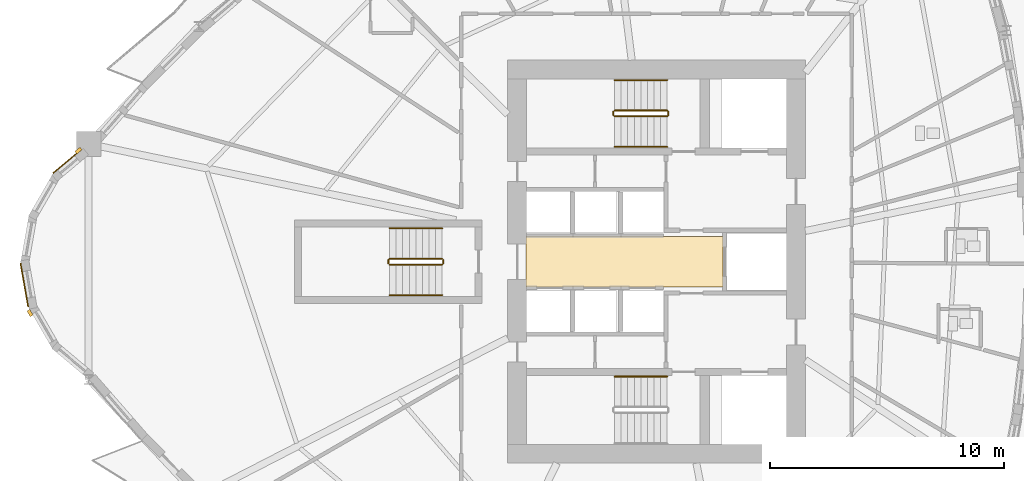
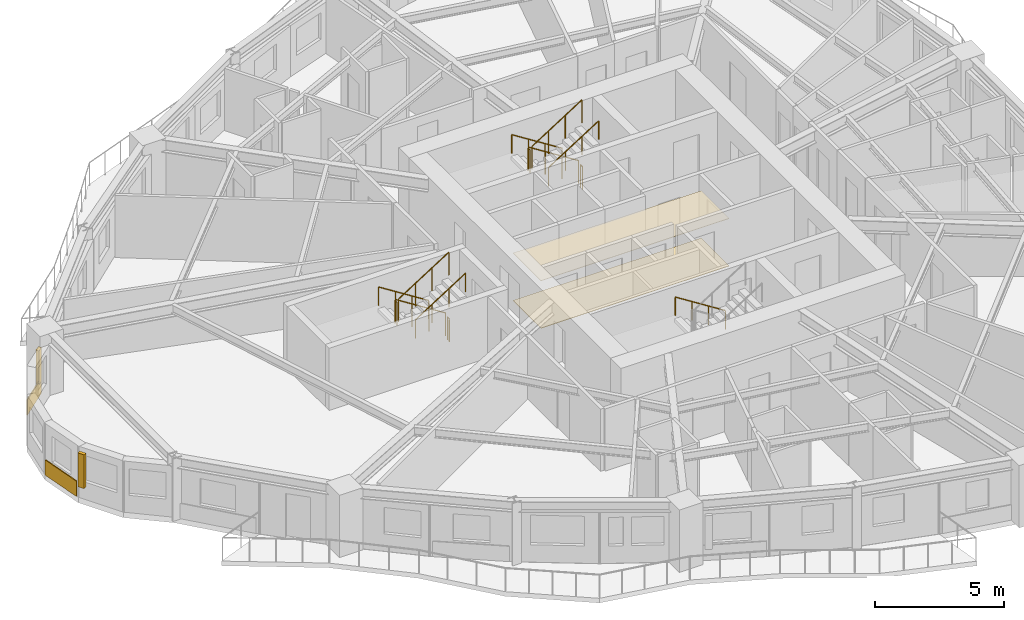
# One storey, part 11 of 13: 13 railings, 4 coverings, 2 shading devices.
"""IFC4 building model written with IfcOpenShell, lengths in metres."""

from ifc_helpers import new_model, si_unit, direction, frame, origin, origin_2d, place, context, subcontext, project, spatial, polyline, rectangle, circle, outline, extrude, source, transform, mapped, material, layer, layer_set, type_object, element, save


model = new_model("IFC4")

# Units and contexts
model_context = context("Model", 3, precision=1e-05, world=origin(), true_north=direction((0.0, 1.0)))
body_context = subcontext(model_context, "Body", "Model", "MODEL_VIEW")
ifc_project = project(units=[si_unit("LENGTHUNIT", "METRE"), si_unit("AREAUNIT", "SQUARE_METRE"), si_unit("VOLUMEUNIT", "CUBIC_METRE"), si_unit("PLANEANGLEUNIT", "RADIAN"), si_unit("MASSUNIT", "GRAM", prefix="KILO")], contexts=[model_context])

# Site, building, storey
site_placement = place(None, origin())
site = spatial("IfcSite", under=ifc_project, at=site_placement, CompositionType="ELEMENT")
building_placement = place(site_placement, origin())
building = spatial("IfcBuilding", under=site, at=building_placement, Name="Qafzar Sky-Pleat Residences", CompositionType="ELEMENT")
storey_placement = place(building_placement, frame((0.0, 0.0, 46.199951171875)))
storey = spatial("IfcBuildingStorey", under=building, at=storey_placement, Name="L13", CompositionType="ELEMENT", Elevation=46.199951171875)

# Coverings
ifc_material_1 = material(Name="Perforated acoustic gypsum board ceiling")
ifc_layer_1 = layer(ifc_material_1, 0.02001953125)
ifc_layer_set_1 = layer_set([ifc_layer_1], Name="Perforated acoustic gypsum board ceiling")
covering_type_1 = type_object("IfcCoveringType", Name="COV-CEIL-ACOUSTIC", PredefinedType="CEILING", material=ifc_layer_set_1)
covering_1_placement = place(storey_placement, frame((0.0, 0.0, 2.239990234375)))
element("IfcCovering", 1, at=covering_1_placement, inside=storey, type_object=covering_type_1, Name="L13 Passenger Lift Lobby Acoustic Ceiling", PredefinedType="CEILING", context=body_context, shape_type="SweptSolid", body=[
    extrude(outline(polyline([(33.179931640625, 24.919921875), (24.77001953125, 24.919921875), (24.77001953125, 27.080078125), (33.179931640625, 27.080078125), (33.179931640625, 24.919921875)])), origin(), (0.0, 0.0, 1.0), 0.02001953125),
])
ifc_material_2 = material(Name="Honed porcelain and Riyadh stone tile flooring", Category="masonry")
ifc_layer_2 = layer(ifc_material_2, 0.02001953125)
ifc_layer_set_2 = layer_set([ifc_layer_2], Name="Honed porcelain and Riyadh stone tile flooring")
covering_type_2 = type_object("IfcCoveringType", Name="COV-FLR-PORCELAIN", PredefinedType="FLOORING", material=ifc_layer_set_2)
covering_2_placement = place(storey_placement, origin())
element("IfcCovering", 2, at=covering_2_placement, inside=storey, type_object=covering_type_2, Name="L13 Passenger Lift Lobby Honed Stone Flooring", PredefinedType="FLOORING", context=body_context, shape_type="SweptSolid", body=[
    extrude(outline(polyline([(33.179931640625, 24.919921875), (24.77001953125, 24.919921875), (24.77001953125, 27.080078125), (33.179931640625, 27.080078125), (33.179931640625, 24.919921875)])), origin(), (0.0, 0.0, 1.0), 0.02001953125),
])
ifc_material_3 = material(Name="Honed Riyadh Tuwaiq limestone cladding", Category="masonry")
ifc_layer_3 = layer(ifc_material_3, 0.044921875)
ifc_layer_set_3 = layer_set([ifc_layer_3], Name="Honed Riyadh Tuwaiq limestone cladding")
covering_type_3 = type_object("IfcCoveringType", Name="COV-CLAD-STONE", PredefinedType="CLADDING", material=ifc_layer_set_3)
shared_shape_1 = source(origin(), body_context, "Body", "SweptSolid", [
    extrude(rectangle(XDim=1.5771484375, YDim=0.044921875, at=origin_2d()), origin(), (0.0, 0.0, 1.0), 0.719970703125),
])
covering_3_placement = place(storey_placement, frame((5.204833984375, 30.28369140625, 0.02001953125), z_axis=(0.0, 0.0, 1.0), x_axis=(-0.766074606481, -0.642751660678, 0.0)))
element("IfcCovering", 3, at=covering_3_placement, inside=storey, type_object=covering_type_3, Name="L13 Riyadh Limestone Spandrel Cladding 1", PredefinedType="CLADDING", context=body_context, shape_type="MappedRepresentation", body=[
    mapped(shared_shape_1, transform((0.0, 0.0, 0.0), x_axis=(1.0, 0.0, 0.0), y_axis=(0.0, 1.0, 0.0), z_axis=(0.0, 0.0, 1.0), scale=1.0)),
])

# Shading devices
ifc_material_4 = material(Name="Honed Riyadh limestone solar fin", Category="masonry")
ifc_layer_4 = layer(ifc_material_4, 0.139892578125)
ifc_layer_set_4 = layer_set([ifc_layer_4], Name="Honed Riyadh limestone solar fin")
shading_device_type = type_object("IfcShadingDeviceType", Name="SHD-FIN-STONE", PredefinedType="SHUTTER", material=ifc_layer_set_4)
shared_shape_2 = source(origin(), body_context, "Body", "SweptSolid", [
    extrude(rectangle(XDim=0.139892578125, YDim=0.280029296875, at=origin_2d()), origin(), (0.0, 0.0, 1.0), 1.60009765625),
])
for number, where, z_axis, x_axis, name in (
    (4, (5.682861328125, 30.740966796875, 0.60009765625), (0.0, 0.0, 1.0), (-0.642754210861, 0.76607246682, 0.0), "L13 Limestone Solar Fin 1"),
    (5, (3.614501953125, 23.80859375, 0.60009765625), (0.0, 0.0, 1.0), (-0.86604422228, -0.499967403994, 0.0), "L13 Limestone Solar Fin 5"),
):
    element("IfcShadingDevice", number, at=place(storey_placement, frame(where, z_axis=z_axis, x_axis=x_axis)), inside=storey, type_object=shading_device_type, Name=name, PredefinedType="SHUTTER", context=body_context, shape_type="MappedRepresentation", body=[
        mapped(shared_shape_2, transform((0.0, 0.0, 0.0), x_axis=(1.0, 0.0, 0.0), y_axis=(0.0, 1.0, 0.0), z_axis=(0.0, 0.0, 1.0), scale=1.0)),
    ])

# Covering
shared_shape_3 = source(origin(), body_context, "Body", "SweptSolid", [
    extrude(rectangle(XDim=1.88134765625, YDim=0.044921875, at=origin_2d()), origin(), (0.0, 0.0, 1.0), 0.719970703125),
])
covering_4_placement = place(storey_placement, frame((3.373291015625, 25.00439453125, 0.02001953125), z_axis=(0.0, 0.0, 1.0), x_axis=(0.173662519465, -0.984805224059, 0.0)))
element("IfcCovering", 6, at=covering_4_placement, inside=storey, type_object=covering_type_3, Name="L13 Riyadh Limestone Spandrel Cladding 4", PredefinedType="CLADDING", context=body_context, shape_type="MappedRepresentation", body=[
    mapped(shared_shape_3, transform((0.0, 0.0, 0.0), x_axis=(1.0, 0.0, 0.0), y_axis=(0.0, 1.0, 0.0), z_axis=(0.0, 0.0, 1.0), scale=1.0)),
])

# Railings
ifc_material_5 = material(Name="Painted Steel S355 stair guardrail", Category="steel")
railing_type_1 = type_object("IfcRailingType", Name="RAIL-STAIR-GUARD", PredefinedType="GUARDRAIL", material=ifc_material_5)
shared_shape_4 = source(origin(), body_context, "Body", "SweptSolid", [
    extrude(circle(Radius=0.02392578125, at=origin_2d()), frame((0.0, 0.0, 1.076171875), z_axis=(0.0, -1.0, 0.0), x_axis=(1.0, 0.0, 0.0)), (0.0, 0.0, 1.0), 0.14990234375),
    extrude(circle(Radius=0.02099609375, at=origin_2d()), origin(), (0.0, 0.0, 1.0), 1.052001953125),
    extrude(circle(Radius=0.02099609375, at=origin_2d()), frame((0.0, -0.14990234375, 0.0)), (0.0, 0.0, 1.0), 1.052001953125),
])
for number, where, name in (
    (7, (28.510009765625, 32.39990234375, 1.60009765625), "L13 ST2 stair guard 2"),
    (8, (30.85009765625, 32.39990234375, 0.0), "L13 ST2 stair guard 4"),
    (9, (18.909912109375, 26.074951171875, 1.60009765625), "L13 ST3 stair guard 2"),
    (10, (21.25, 26.074951171875, 0.0), "L13 ST3 stair guard 4"),
):
    element("IfcRailing", number, at=place(storey_placement, frame(where)), inside=storey, type_object=railing_type_1, Name=name, PredefinedType="GUARDRAIL", context=body_context, shape_type="MappedRepresentation", body=[
        mapped(shared_shape_4, transform((0.0, 0.0, 0.0), x_axis=(1.0, 0.0, 0.0), y_axis=(0.0, 1.0, 0.0), z_axis=(0.0, 0.0, 1.0), scale=1.0)),
    ])
shared_shape_5 = source(origin(), body_context, "Body", "SweptSolid", [
    extrude(circle(Radius=0.02392578125, at=origin_2d()), frame((0.0, 0.0, 1.076171875), z_axis=(0.8442293374, 0.0, 0.53598211339), x_axis=(0.0, 1.0, 0.0)), (0.0, 0.0, 1.0), 2.6533203125),
    extrude(circle(Radius=0.02099609375, at=origin_2d()), origin(), (0.0, 0.0, 1.0), 1.052001953125),
    extrude(circle(Radius=0.02099609375, at=origin_2d()), frame((0.74658203125, 0.0, 0.47412109375)), (0.0, 0.0, 1.0), 1.052001953125),
    extrude(circle(Radius=0.02099609375, at=origin_2d()), frame((1.493408203125, 0.0, 0.947998046875)), (0.0, 0.0, 1.0), 1.052001953125),
    extrude(circle(Radius=0.02099609375, at=origin_2d()), frame((2.239990234375, 0.0, 1.422119140625)), (0.0, 0.0, 1.0), 1.052001953125),
])
for number, where, name in (
    (11, (28.56005859375, 32.199951171875, 1.77783203125), "L13 ST2 stair guard 3"),
    (12, (18.9599609375, 25.875, 1.77783203125), "L13 ST3 stair guard 3"),
):
    element("IfcRailing", number, at=place(storey_placement, frame(where)), inside=storey, type_object=railing_type_1, Name=name, PredefinedType="GUARDRAIL", context=body_context, shape_type="MappedRepresentation", body=[
        mapped(shared_shape_5, transform((0.0, 0.0, 0.0), x_axis=(1.0, 0.0, 0.0), y_axis=(0.0, 1.0, 0.0), z_axis=(0.0, 0.0, 1.0), scale=1.0)),
    ])
ifc_material_6 = material(Name="Brushed stainless steel handrail", Category="steel")
railing_type_2 = type_object("IfcRailingType", Name="RAIL-STAIR-HAND", PredefinedType="HANDRAIL", material=ifc_material_6)
shared_shape_6 = source(origin(), body_context, "Body", "SweptSolid", [
    extrude(circle(Radius=0.02392578125, at=origin_2d()), frame((0.0, 0.0, 0.8759765625), z_axis=(0.8442293374, 0.0, 0.53598211339), x_axis=(0.0, 1.0, 0.0)), (0.0, 0.0, 1.0), 2.6533203125),
    extrude(circle(Radius=0.02099609375, at=origin_2d()), origin(), (0.0, 0.0, 1.0), 0.851806640625),
    extrude(circle(Radius=0.02099609375, at=origin_2d()), frame((0.74658203125, 0.0, 0.47412109375)), (0.0, 0.0, 1.0), 0.851806640625),
    extrude(circle(Radius=0.02099609375, at=origin_2d()), frame((1.493408203125, 0.0, 0.947998046875)), (0.0, 0.0, 1.0), 0.851806640625),
    extrude(circle(Radius=0.02099609375, at=origin_2d()), frame((2.239990234375, 0.0, 1.422119140625)), (0.0, 0.0, 1.0), 0.851806640625),
])
for number, where, name in (
    (13, (28.56005859375, 30.89990234375, 1.77783203125), "L13 ST2 stair handrail 2"),
    (14, (18.9599609375, 24.574951171875, 1.77783203125), "L13 ST3 stair handrail 2"),
):
    element("IfcRailing", number, at=place(storey_placement, frame(where)), inside=storey, type_object=railing_type_2, Name=name, PredefinedType="HANDRAIL", context=body_context, shape_type="MappedRepresentation", body=[
        mapped(shared_shape_6, transform((0.0, 0.0, 0.0), x_axis=(1.0, 0.0, 0.0), y_axis=(0.0, 1.0, 0.0), z_axis=(0.0, 0.0, 1.0), scale=1.0)),
    ])
shared_shape_7 = source(origin(), body_context, "Body", "SweptSolid", [
    extrude(circle(Radius=0.02392578125, at=origin_2d()), frame((0.0, 0.0, 1.076171875), z_axis=(-0.84418770128, 0.0, 0.536047689118), x_axis=(0.0, -1.0, 0.0)), (0.0, 0.0, 1.0), 2.6533203125),
    extrude(circle(Radius=0.02099609375, at=origin_2d()), origin(), (0.0, 0.0, 1.0), 1.052001953125),
    extrude(circle(Radius=0.02099609375, at=origin_2d()), frame((-0.74658203125, 0.0, 0.47412109375)), (0.0, 0.0, 1.0), 1.052001953125),
    extrude(circle(Radius=0.02099609375, at=origin_2d()), frame((-1.493408203125, 0.0, 0.9482421875)), (0.0, 0.0, 1.0), 1.052001953125),
    extrude(circle(Radius=0.02099609375, at=origin_2d()), frame((-2.239990234375, 0.0, 1.42236328125)), (0.0, 0.0, 1.0), 1.052001953125),
])
for number, where, name in (
    (15, (30.800048828125, 32.449951171875, 0.177734375), "L13 ST2 stair guard 1"),
    (16, (21.199951171875, 26.125, 0.177734375), "L13 ST3 stair guard 1"),
):
    element("IfcRailing", number, at=place(storey_placement, frame(where)), inside=storey, type_object=railing_type_1, Name=name, PredefinedType="GUARDRAIL", context=body_context, shape_type="MappedRepresentation", body=[
        mapped(shared_shape_7, transform((0.0, 0.0, 0.0), x_axis=(1.0, 0.0, 0.0), y_axis=(0.0, 1.0, 0.0), z_axis=(0.0, 0.0, 1.0), scale=1.0)),
    ])
shared_shape_8 = source(origin(), body_context, "Body", "SweptSolid", [
    extrude(circle(Radius=0.02392578125, at=origin_2d()), frame((0.0, 0.0, 0.8759765625), z_axis=(-0.84418770128, 0.0, 0.536047689118), x_axis=(0.0, -1.0, 0.0)), (0.0, 0.0, 1.0), 2.6533203125),
    extrude(circle(Radius=0.02099609375, at=origin_2d()), origin(), (0.0, 0.0, 1.0), 0.851806640625),
    extrude(circle(Radius=0.02099609375, at=origin_2d()), frame((-0.74658203125, 0.0, 0.47412109375)), (0.0, 0.0, 1.0), 0.851806640625),
    extrude(circle(Radius=0.02099609375, at=origin_2d()), frame((-1.493408203125, 0.0, 0.9482421875)), (0.0, 0.0, 1.0), 0.851806640625),
    extrude(circle(Radius=0.02099609375, at=origin_2d()), frame((-2.239990234375, 0.0, 1.42236328125)), (0.0, 0.0, 1.0), 0.851806640625),
])
for number, where, name in (
    (17, (30.800048828125, 21.10009765625, 0.177734375), "L13 ST1 stair handrail 1"),
    (18, (30.800048828125, 33.75, 0.177734375), "L13 ST2 stair handrail 1"),
    (19, (21.199951171875, 27.425048828125, 0.177734375), "L13 ST3 stair handrail 1"),
):
    element("IfcRailing", number, at=place(storey_placement, frame(where)), inside=storey, type_object=railing_type_2, Name=name, PredefinedType="HANDRAIL", context=body_context, shape_type="MappedRepresentation", body=[
        mapped(shared_shape_8, transform((0.0, 0.0, 0.0), x_axis=(1.0, 0.0, 0.0), y_axis=(0.0, 1.0, 0.0), z_axis=(0.0, 0.0, 1.0), scale=1.0)),
    ])

save(model, "model.ifc")
